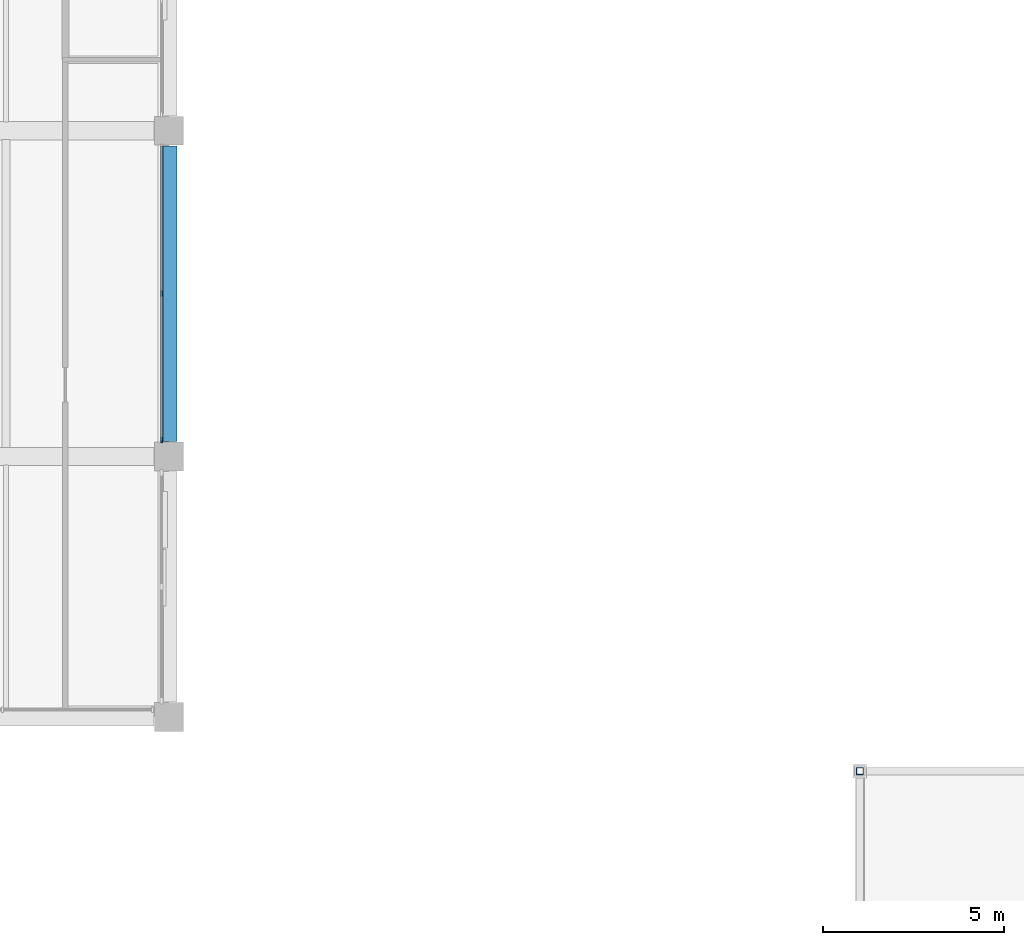
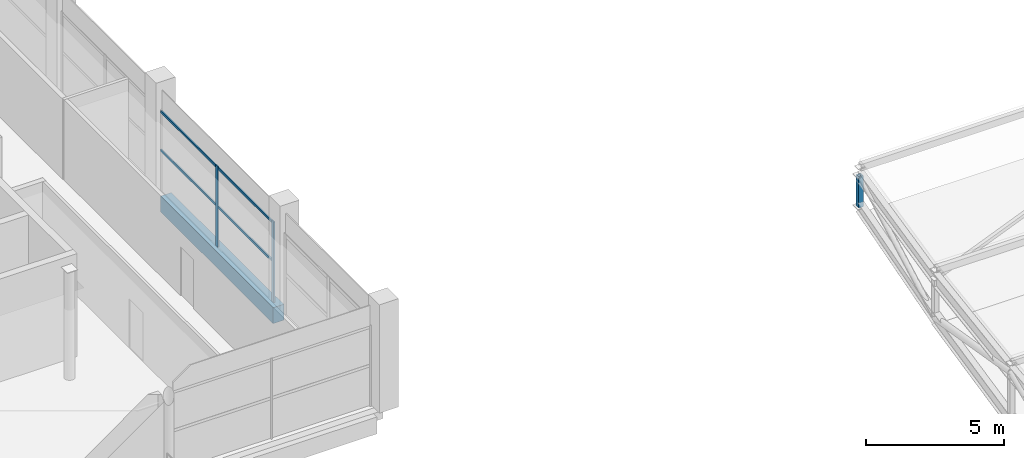
# One storey, part 11 of 114: 5 members, 1 beam, 1 element without a shape of its own.
"""IFC4 building model written with IfcOpenShell, lengths in metres."""

from ifc_helpers import new_model, si_unit, direction, frame, origin, origin_2d, place, context, subcontext, project, spatial, rectangle, hollow_rectangle, extrude, material, material_profile, profile_set, type_object, element, aggregate, save


model = new_model("IFC4")

# Units and contexts
model_context = context("Model", 3, precision=1e-05, world=origin(), true_north=direction((0.0, 1.0)))
body_context = subcontext(model_context, "Body", "Model", "MODEL_VIEW")
ifc_project = project(units=[si_unit("LENGTHUNIT", "METRE"), si_unit("AREAUNIT", "SQUARE_METRE"), si_unit("VOLUMEUNIT", "CUBIC_METRE"), si_unit("PLANEANGLEUNIT", "RADIAN"), si_unit("MASSUNIT", "GRAM", prefix="KILO"), si_unit("THERMODYNAMICTEMPERATUREUNIT", "KELVIN"), si_unit("POWERUNIT", "WATT")], contexts=[model_context])

# Site, building, storey
site_placement = place(None, origin())
site = spatial("IfcSite", under=ifc_project, at=site_placement, CompositionType="ELEMENT")
building_placement = place(site_placement, origin())
building = spatial("IfcBuilding", under=site, at=building_placement, Name="Sindhuravela Promenade Stadium", CompositionType="ELEMENT")
storey_placement = place(building_placement, frame((0.0, 0.0, 24.0)))
storey = spatial("IfcBuildingStorey", under=building, at=storey_placement, Name="L05", CompositionType="ELEMENT", Elevation=24.0)

# Curtain wall, members
ifc_material_1 = material(Name="Anodised architectural aluminium 6063-T6", Category="aluminium")
curtain_wall_type = type_object("IfcCurtainWallType", Name="CW-MOD-4", PredefinedType="NOTDEFINED", material=ifc_material_1)
curtain_wall_placement = place(storey_placement, origin())
curtain_wall = element("IfcCurtainWall", 1, at=curtain_wall_placement, inside=storey, type_object=curtain_wall_type, Name="Bronze curtain wall CW-WEST-L05-083", PredefinedType="NOTDEFINED")
ifc_material_profile_1 = material_profile(ifc_material_1, rectangle(XDim=0.054931640625, YDim=0.14990234375, at=origin_2d()), Name="ALU M55x150")
ifc_profile_set_1 = profile_set([ifc_material_profile_1], Name="Anodised architectural aluminium 6063-T6")
member_type_1 = type_object("IfcMemberType", Name="CW-MUL-6", PredefinedType="MULLION", material=ifc_profile_set_1)
member_1_placement = place(storey_placement, frame((35.800048828125, 56.699951171875, 0.0), z_axis=(0.0, 0.0, 1.0), x_axis=(1.0, 0.0, 0.0)))
member_1 = element("IfcMember", 2, at=member_1_placement, type_object=member_type_1, Name="Curtain wall mullion CW-WEST-L05-083-M2", PredefinedType="MULLION", context=body_context, shape_type="SweptSolid", body=[
    extrude(rectangle(XDim=0.054931640625, YDim=0.14990234375, at=origin_2d()), origin(), (0.0, 0.0, 1.0), 3.580078125),
])
member_2_placement = place(storey_placement, frame((35.800048828125, 52.64990234375, 0.0), z_axis=(0.0, 0.0, 1.0), x_axis=(1.0, 0.0, 0.0)))
member_2 = element("IfcMember", 3, at=member_2_placement, type_object=member_type_1, Name="Curtain wall mullion CW-WEST-L05-083-M3", PredefinedType="MULLION", context=body_context, shape_type="SweptSolid", body=[
    extrude(rectangle(XDim=0.054931640625, YDim=0.14990234375, at=origin_2d()), origin(), (0.0, 0.0, 1.0), 3.580078125),
])
ifc_material_profile_2 = material_profile(ifc_material_1, rectangle(XDim=0.054931640625, YDim=0.10498046875, at=origin_2d()), Name="ALU T55x105")
ifc_profile_set_2 = profile_set([ifc_material_profile_2], Name="Anodised architectural aluminium 6063-T6")
member_type_2 = type_object("IfcMemberType", Name="CW-TRN-6", PredefinedType="USERDEFINED", material=ifc_profile_set_2)
member_3_placement = place(storey_placement, frame((35.800048828125, 60.77490234375, 1.7900390625), z_axis=(0.0, -1.0, 0.0), x_axis=(1.0, 0.0, 0.0)))
member_3 = element("IfcMember", 4, at=member_3_placement, type_object=member_type_2, Name="Curtain wall transom CW-WEST-L05-083-T1", ObjectType="TRANSOM", PredefinedType="USERDEFINED", context=body_context, shape_type="SweptSolid", body=[
    extrude(rectangle(XDim=0.054931640625, YDim=0.10498046875, at=origin_2d()), origin(), (0.0, 0.0, 1.0), 8.14990234375),
])
member_4_placement = place(storey_placement, frame((35.800048828125, 60.77490234375, 3.5), z_axis=(0.0, -1.0, 0.0), x_axis=(1.0, 0.0, 0.0)))
member_4 = element("IfcMember", 5, at=member_4_placement, type_object=member_type_2, Name="Curtain wall transom CW-WEST-L05-083-T2", ObjectType="TRANSOM", PredefinedType="USERDEFINED", context=body_context, shape_type="SweptSolid", body=[
    extrude(rectangle(XDim=0.054931640625, YDim=0.10498046875, at=origin_2d()), origin(), (0.0, 0.0, 1.0), 8.14990234375),
])
aggregate(curtain_wall, [member_1, member_2, member_3, member_4])

# Beam
ifc_material_2 = material(Name="Concrete M40", Category="concrete")
ifc_material_profile_3 = material_profile(ifc_material_2, rectangle(XDim=0.449951171875, YDim=0.699951171875, at=origin_2d()), Name="RC 450x700")
ifc_profile_set_3 = profile_set([ifc_material_profile_3], Name="Concrete M40")
beam_type = type_object("IfcBeamType", Name="RC-BM-450x700", PredefinedType="BEAM", material=ifc_profile_set_3)
beam_placement = place(storey_placement, frame((36.0, 52.614990234375, -0.60009765625), z_axis=(0.0, 1.0, 0.0), x_axis=(-1.0, 0.0, 0.0)))
element("IfcBeam", 6, at=beam_placement, inside=storey, type_object=beam_type, Name="Primary beam GB07 WEST L05", PredefinedType="BEAM", context=body_context, shape_type="SweptSolid", body=[
    extrude(rectangle(XDim=0.449951171875, YDim=0.699951171875, at=origin_2d()), origin(), (0.0, 0.0, 1.0), 8.169921875),
])

# Member
ifc_material_3 = material(Name="Steel E350 (IS 2062 E350BR)", Category="steel")
ifc_material_profile_4 = material_profile(ifc_material_3, hollow_rectangle(XDim=0.199951171875, YDim=0.199951171875, WallThickness=0.010009765625, at=origin_2d()), Name="SHS 200x200x10")
ifc_profile_set_4 = profile_set([ifc_material_profile_4], Name="Steel E350 (IS 2062 E350BR)")
member_type_3 = type_object("IfcMemberType", Name="ST-MB-SHS200", PredefinedType="POST", material=ifc_profile_set_4)
member_5_placement = place(storey_placement, frame((55.10009765625, 43.5, 3.02490234375), z_axis=(0.0, 0.0, 1.0), x_axis=(1.0, 0.0, 0.0)))
element("IfcMember", 7, at=member_5_placement, inside=storey, type_object=member_type_3, Name="Roof truss RT-S01 vertical post 6", PredefinedType="POST", context=body_context, shape_type="SweptSolid", body=[
    extrude(hollow_rectangle(XDim=0.199951171875, YDim=0.199951171875, WallThickness=0.010009765625, at=origin_2d()), origin(), (0.0, 0.0, 1.0), 1.375),
])

save(model, "model.ifc")
